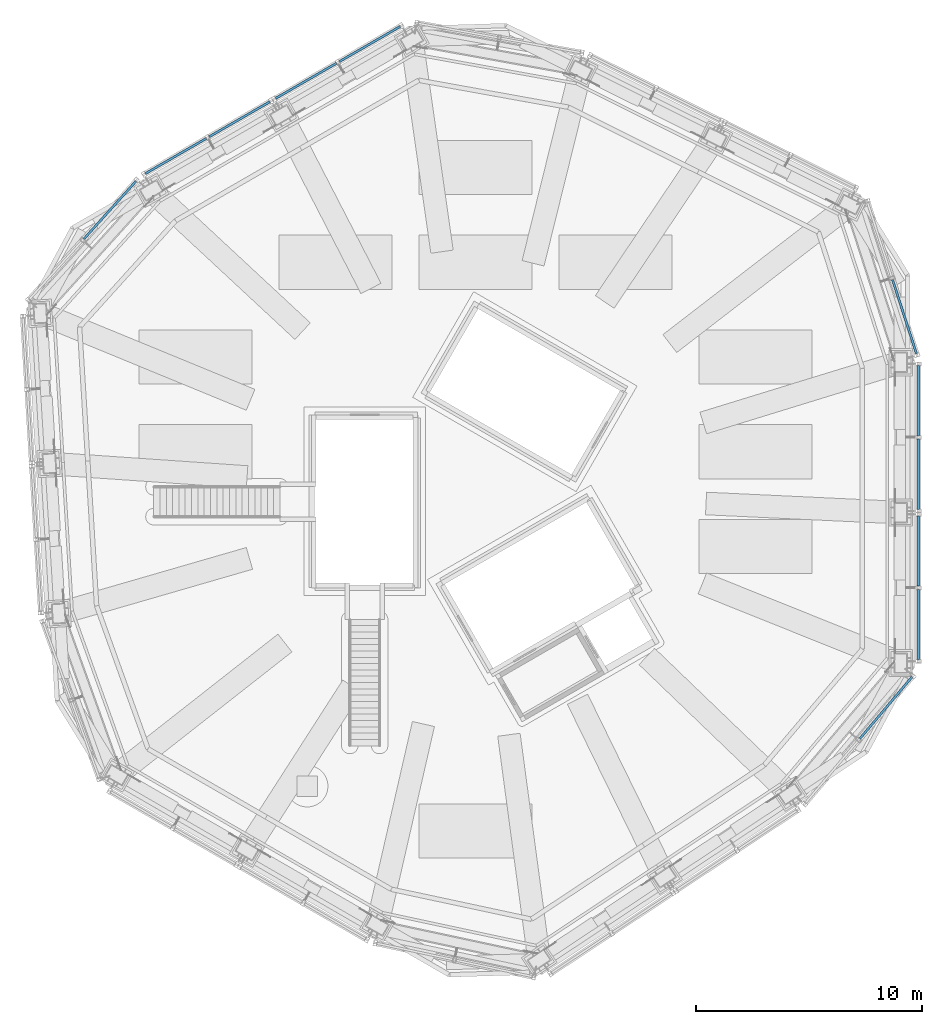
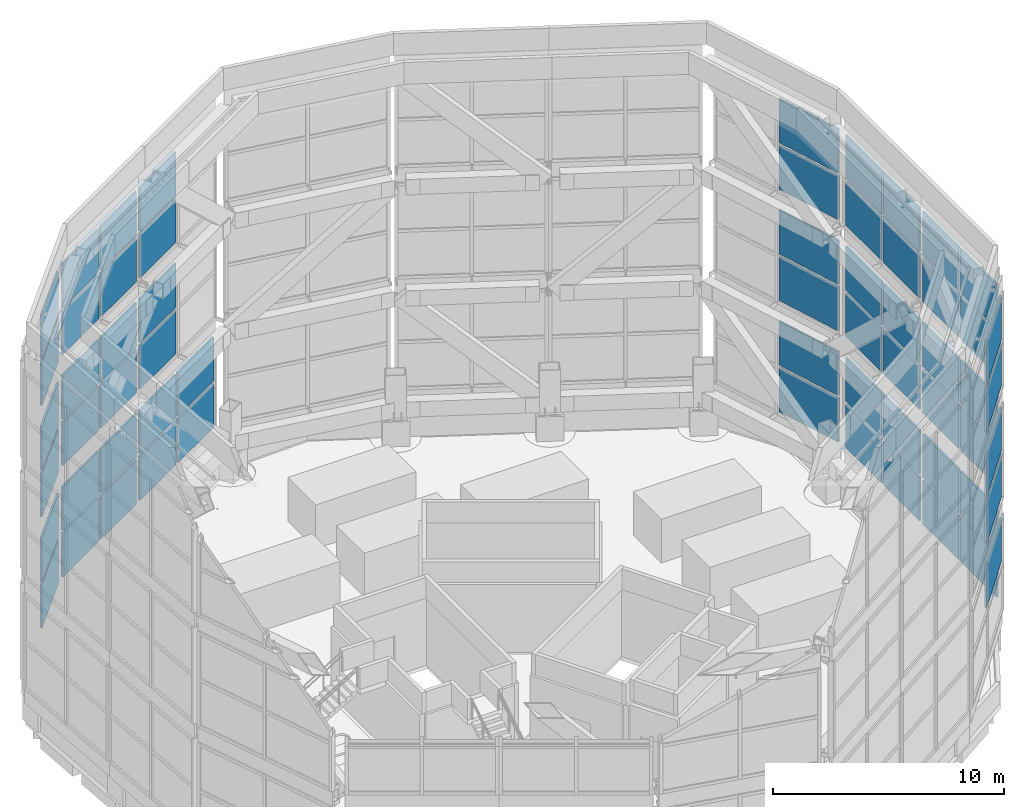
# One storey, part 19 of 46: 61 plates, 21 elements without a shape of their own.
"""IFC4 building model written with IfcOpenShell, lengths in metres."""

from ifc_helpers import new_model, si_unit, direction, frame, origin, origin_2d, place, context, subcontext, project, spatial, rectangle, extrude, material, layer, layer_set, type_object, element, aggregate, save


model = new_model("IFC4")

# Units and contexts
model_context = context("Model", 3, precision=1e-05, world=origin(), true_north=direction((0.0, 1.0)))
body_context = subcontext(model_context, "Body", "Model", "MODEL_VIEW")
ifc_project = project(units=[si_unit("LENGTHUNIT", "METRE"), si_unit("AREAUNIT", "SQUARE_METRE"), si_unit("VOLUMEUNIT", "CUBIC_METRE"), si_unit("PLANEANGLEUNIT", "RADIAN"), si_unit("MASSUNIT", "GRAM", prefix="KILO")], contexts=[model_context])

# Site, building, storey
site_placement = place(None, origin())
site = spatial("IfcSite", under=ifc_project, at=site_placement, CompositionType="ELEMENT")
building_placement = place(site_placement, origin())
building = spatial("IfcBuilding", under=site, at=building_placement, Name="Vanh Sen Convention Tower", CompositionType="ELEMENT")
storey_placement = place(building_placement, frame((0.0, 0.0, 305.0)))
storey = spatial("IfcBuildingStorey", under=building, at=storey_placement, Name="Roof level", CompositionType="ELEMENT", Elevation=305.0)

# Curtain wall, plates
ifc_material = material(Name="Concrete C60/75", Category="concrete")
curtain_wall_type = type_object("IfcCurtainWallType", Name="Crown screen", PredefinedType="NOTDEFINED", material=ifc_material)
curtain_wall_1_placement = place(storey_placement, origin())
curtain_wall_1 = element("IfcCurtainWall", 1, at=curtain_wall_1_placement, inside=storey, type_object=curtain_wall_type, Name="CROWN SCREEN 01 tier 1", PredefinedType="NOTDEFINED")
ifc_layer = layer(ifc_material, 0.10009765625)
ifc_layer_set = layer_set([ifc_layer], Name="Concrete C60/75")
plate_type = type_object("IfcPlateType", Name="Crown screen precast panel 100", PredefinedType="CURTAIN_PANEL", material=ifc_layer_set)
plate_1_placement = place(storey_placement, frame((19.574951171875, -5.84326171875, 2.294921875), z_axis=(0.0, 0.0, 1.0), x_axis=(0.0, 1.0, 0.0)))
plate_1 = element("IfcPlate", 2, at=plate_1_placement, type_object=plate_type, Name="CROWN SCREEN6 panel 1.1", PredefinedType="CURTAIN_PANEL", context=body_context, shape_type="SweptSolid", body=[
    extrude(rectangle(XDim=3.106689453125, YDim=0.10009765625, at=origin_2d()), origin(), (0.0, 0.0, 1.0), 2.30908203125),
])
plate_2_placement = place(storey_placement, frame((19.574951171875, -5.84326171875, 4.754150390625), z_axis=(0.0, 0.0, 1.0), x_axis=(0.0, 1.0, 0.0)))
plate_2 = element("IfcPlate", 3, at=plate_2_placement, type_object=plate_type, Name="CROWN SCREEN6 panel 1.2", PredefinedType="CURTAIN_PANEL", context=body_context, shape_type="SweptSolid", body=[
    extrude(rectangle(XDim=3.106689453125, YDim=0.10009765625, at=origin_2d()), origin(), (0.0, 0.0, 1.0), 2.30908203125),
])
plate_3_placement = place(storey_placement, frame((19.574951171875, -2.586669921875, 2.294921875), z_axis=(0.0, 0.0, 1.0), x_axis=(0.0, 1.0, 0.0)))
plate_3 = element("IfcPlate", 4, at=plate_3_placement, type_object=plate_type, Name="CROWN SCREEN6 panel 2.1", PredefinedType="CURTAIN_PANEL", context=body_context, shape_type="SweptSolid", body=[
    extrude(rectangle(XDim=3.106689453125, YDim=0.10009765625, at=origin_2d()), origin(), (0.0, 0.0, 1.0), 2.30908203125),
])
plate_4_placement = place(storey_placement, frame((19.574951171875, -2.586669921875, 4.754150390625), z_axis=(0.0, 0.0, 1.0), x_axis=(0.0, 1.0, 0.0)))
plate_4 = element("IfcPlate", 5, at=plate_4_placement, type_object=plate_type, Name="CROWN SCREEN6 panel 2.2", PredefinedType="CURTAIN_PANEL", context=body_context, shape_type="SweptSolid", body=[
    extrude(rectangle(XDim=3.106689453125, YDim=0.10009765625, at=origin_2d()), origin(), (0.0, 0.0, 1.0), 2.30908203125),
])
aggregate(curtain_wall_1, [plate_1, plate_2, plate_3, plate_4])

curtain_wall_2_placement = place(storey_placement, origin())
curtain_wall_2 = element("IfcCurtainWall", 6, at=curtain_wall_2_placement, inside=storey, type_object=curtain_wall_type, Name="CROWN SCREEN 01 tier 2", PredefinedType="NOTDEFINED")
plate_5_placement = place(storey_placement, frame((19.574951171875, -5.84326171875, 8.163330078125), z_axis=(0.0, 0.0, 1.0), x_axis=(0.0, 1.0, 0.0)))
plate_5 = element("IfcPlate", 7, at=plate_5_placement, type_object=plate_type, Name="CROWN SCREEN6 panel 1.1", PredefinedType="CURTAIN_PANEL", context=body_context, shape_type="SweptSolid", body=[
    extrude(rectangle(XDim=3.106689453125, YDim=0.10009765625, at=origin_2d()), origin(), (0.0, 0.0, 1.0), 2.30908203125),
])
plate_6_placement = place(storey_placement, frame((19.574951171875, -5.84326171875, 10.62255859375), z_axis=(0.0, 0.0, 1.0), x_axis=(0.0, 1.0, 0.0)))
plate_6 = element("IfcPlate", 8, at=plate_6_placement, type_object=plate_type, Name="CROWN SCREEN6 panel 1.2", PredefinedType="CURTAIN_PANEL", context=body_context, shape_type="SweptSolid", body=[
    extrude(rectangle(XDim=3.106689453125, YDim=0.10009765625, at=origin_2d()), origin(), (0.0, 0.0, 1.0), 2.30908203125),
])
plate_7_placement = place(storey_placement, frame((19.574951171875, -2.586669921875, 8.163330078125), z_axis=(0.0, 0.0, 1.0), x_axis=(0.0, 1.0, 0.0)))
plate_7 = element("IfcPlate", 9, at=plate_7_placement, type_object=plate_type, Name="CROWN SCREEN6 panel 2.1", PredefinedType="CURTAIN_PANEL", context=body_context, shape_type="SweptSolid", body=[
    extrude(rectangle(XDim=3.106689453125, YDim=0.10009765625, at=origin_2d()), origin(), (0.0, 0.0, 1.0), 2.30908203125),
])
plate_8_placement = place(storey_placement, frame((19.574951171875, -2.586669921875, 10.62255859375), z_axis=(0.0, 0.0, 1.0), x_axis=(0.0, 1.0, 0.0)))
plate_8 = element("IfcPlate", 10, at=plate_8_placement, type_object=plate_type, Name="CROWN SCREEN6 panel 2.2", PredefinedType="CURTAIN_PANEL", context=body_context, shape_type="SweptSolid", body=[
    extrude(rectangle(XDim=3.106689453125, YDim=0.10009765625, at=origin_2d()), origin(), (0.0, 0.0, 1.0), 2.30908203125),
])
aggregate(curtain_wall_2, [plate_5, plate_6, plate_7, plate_8])

curtain_wall_3_placement = place(storey_placement, origin())
curtain_wall_3 = element("IfcCurtainWall", 11, at=curtain_wall_3_placement, inside=storey, type_object=curtain_wall_type, Name="CROWN SCREEN 01 tier 3", PredefinedType="NOTDEFINED")
plate_9_placement = place(storey_placement, frame((19.574951171875, -5.84326171875, 14.03173828125), z_axis=(0.0, 0.0, 1.0), x_axis=(0.0, 1.0, 0.0)))
plate_9 = element("IfcPlate", 12, at=plate_9_placement, type_object=plate_type, Name="CROWN SCREEN6 panel 1.1", PredefinedType="CURTAIN_PANEL", context=body_context, shape_type="SweptSolid", body=[
    extrude(rectangle(XDim=3.106689453125, YDim=0.10009765625, at=origin_2d()), origin(), (0.0, 0.0, 1.0), 2.30908203125),
])
plate_10_placement = place(storey_placement, frame((19.574951171875, -5.84326171875, 16.490966796875), z_axis=(0.0, 0.0, 1.0), x_axis=(0.0, 1.0, 0.0)))
plate_10 = element("IfcPlate", 13, at=plate_10_placement, type_object=plate_type, Name="CROWN SCREEN6 panel 1.2", PredefinedType="CURTAIN_PANEL", context=body_context, shape_type="SweptSolid", body=[
    extrude(rectangle(XDim=3.106689453125, YDim=0.10009765625, at=origin_2d()), origin(), (0.0, 0.0, 1.0), 2.30908203125),
])
plate_11_placement = place(storey_placement, frame((19.574951171875, -2.586669921875, 14.03173828125), z_axis=(0.0, 0.0, 1.0), x_axis=(0.0, 1.0, 0.0)))
plate_11 = element("IfcPlate", 14, at=plate_11_placement, type_object=plate_type, Name="CROWN SCREEN6 panel 2.1", PredefinedType="CURTAIN_PANEL", context=body_context, shape_type="SweptSolid", body=[
    extrude(rectangle(XDim=3.106689453125, YDim=0.10009765625, at=origin_2d()), origin(), (0.0, 0.0, 1.0), 2.30908203125),
])
plate_12_placement = place(storey_placement, frame((19.574951171875, -2.586669921875, 16.490966796875), z_axis=(0.0, 0.0, 1.0), x_axis=(0.0, 1.0, 0.0)))
plate_12 = element("IfcPlate", 15, at=plate_12_placement, type_object=plate_type, Name="CROWN SCREEN6 panel 2.2", PredefinedType="CURTAIN_PANEL", context=body_context, shape_type="SweptSolid", body=[
    extrude(rectangle(XDim=3.106689453125, YDim=0.10009765625, at=origin_2d()), origin(), (0.0, 0.0, 1.0), 2.30908203125),
])
aggregate(curtain_wall_3, [plate_9, plate_10, plate_11, plate_12])

curtain_wall_4_placement = place(storey_placement, origin())
curtain_wall_4 = element("IfcCurtainWall", 16, at=curtain_wall_4_placement, inside=storey, type_object=curtain_wall_type, Name="CROWN SCREEN 02 tier 1", PredefinedType="NOTDEFINED")
plate_13_placement = place(storey_placement, frame((19.574951171875, 0.81982421875, 2.294921875), z_axis=(0.0, 0.0, 1.0), x_axis=(0.0, 1.0, 0.0)))
plate_13 = element("IfcPlate", 17, at=plate_13_placement, type_object=plate_type, Name="CROWN SCREEN6 panel 1.1", PredefinedType="CURTAIN_PANEL", context=body_context, shape_type="SweptSolid", body=[
    extrude(rectangle(XDim=3.106689453125, YDim=0.10009765625, at=origin_2d()), origin(), (0.0, 0.0, 1.0), 2.30908203125),
])
plate_14_placement = place(storey_placement, frame((19.574951171875, 0.81982421875, 4.754150390625), z_axis=(0.0, 0.0, 1.0), x_axis=(0.0, 1.0, 0.0)))
plate_14 = element("IfcPlate", 18, at=plate_14_placement, type_object=plate_type, Name="CROWN SCREEN6 panel 1.2", PredefinedType="CURTAIN_PANEL", context=body_context, shape_type="SweptSolid", body=[
    extrude(rectangle(XDim=3.106689453125, YDim=0.10009765625, at=origin_2d()), origin(), (0.0, 0.0, 1.0), 2.30908203125),
])
plate_15_placement = place(storey_placement, frame((19.574951171875, 4.07666015625, 2.294921875), z_axis=(0.0, 0.0, 1.0), x_axis=(0.0, 1.0, 0.0)))
plate_15 = element("IfcPlate", 19, at=plate_15_placement, type_object=plate_type, Name="CROWN SCREEN6 panel 2.1", PredefinedType="CURTAIN_PANEL", context=body_context, shape_type="SweptSolid", body=[
    extrude(rectangle(XDim=3.106689453125, YDim=0.10009765625, at=origin_2d()), origin(), (0.0, 0.0, 1.0), 2.30908203125),
])
plate_16_placement = place(storey_placement, frame((19.574951171875, 4.07666015625, 4.754150390625), z_axis=(0.0, 0.0, 1.0), x_axis=(0.0, 1.0, 0.0)))
plate_16 = element("IfcPlate", 20, at=plate_16_placement, type_object=plate_type, Name="CROWN SCREEN6 panel 2.2", PredefinedType="CURTAIN_PANEL", context=body_context, shape_type="SweptSolid", body=[
    extrude(rectangle(XDim=3.106689453125, YDim=0.10009765625, at=origin_2d()), origin(), (0.0, 0.0, 1.0), 2.30908203125),
])
aggregate(curtain_wall_4, [plate_13, plate_14, plate_15, plate_16])

curtain_wall_5_placement = place(storey_placement, origin())
curtain_wall_5 = element("IfcCurtainWall", 21, at=curtain_wall_5_placement, inside=storey, type_object=curtain_wall_type, Name="CROWN SCREEN 02 tier 2", PredefinedType="NOTDEFINED")
plate_17_placement = place(storey_placement, frame((19.574951171875, 0.81982421875, 8.163330078125), z_axis=(0.0, 0.0, 1.0), x_axis=(0.0, 1.0, 0.0)))
plate_17 = element("IfcPlate", 22, at=plate_17_placement, type_object=plate_type, Name="CROWN SCREEN6 panel 1.1", PredefinedType="CURTAIN_PANEL", context=body_context, shape_type="SweptSolid", body=[
    extrude(rectangle(XDim=3.106689453125, YDim=0.10009765625, at=origin_2d()), origin(), (0.0, 0.0, 1.0), 2.30908203125),
])
plate_18_placement = place(storey_placement, frame((19.574951171875, 0.81982421875, 10.62255859375), z_axis=(0.0, 0.0, 1.0), x_axis=(0.0, 1.0, 0.0)))
plate_18 = element("IfcPlate", 23, at=plate_18_placement, type_object=plate_type, Name="CROWN SCREEN6 panel 1.2", PredefinedType="CURTAIN_PANEL", context=body_context, shape_type="SweptSolid", body=[
    extrude(rectangle(XDim=3.106689453125, YDim=0.10009765625, at=origin_2d()), origin(), (0.0, 0.0, 1.0), 2.30908203125),
])
plate_19_placement = place(storey_placement, frame((19.574951171875, 4.07666015625, 8.163330078125), z_axis=(0.0, 0.0, 1.0), x_axis=(0.0, 1.0, 0.0)))
plate_19 = element("IfcPlate", 24, at=plate_19_placement, type_object=plate_type, Name="CROWN SCREEN6 panel 2.1", PredefinedType="CURTAIN_PANEL", context=body_context, shape_type="SweptSolid", body=[
    extrude(rectangle(XDim=3.106689453125, YDim=0.10009765625, at=origin_2d()), origin(), (0.0, 0.0, 1.0), 2.30908203125),
])
plate_20_placement = place(storey_placement, frame((19.574951171875, 4.07666015625, 10.62255859375), z_axis=(0.0, 0.0, 1.0), x_axis=(0.0, 1.0, 0.0)))
plate_20 = element("IfcPlate", 25, at=plate_20_placement, type_object=plate_type, Name="CROWN SCREEN6 panel 2.2", PredefinedType="CURTAIN_PANEL", context=body_context, shape_type="SweptSolid", body=[
    extrude(rectangle(XDim=3.106689453125, YDim=0.10009765625, at=origin_2d()), origin(), (0.0, 0.0, 1.0), 2.30908203125),
])
aggregate(curtain_wall_5, [plate_17, plate_18, plate_19, plate_20])

curtain_wall_6_placement = place(storey_placement, origin())
curtain_wall_6 = element("IfcCurtainWall", 26, at=curtain_wall_6_placement, inside=storey, type_object=curtain_wall_type, Name="CROWN SCREEN 02 tier 3", PredefinedType="NOTDEFINED")
plate_21_placement = place(storey_placement, frame((19.574951171875, 0.81982421875, 14.03173828125), z_axis=(0.0, 0.0, 1.0), x_axis=(0.0, 1.0, 0.0)))
plate_21 = element("IfcPlate", 27, at=plate_21_placement, type_object=plate_type, Name="CROWN SCREEN6 panel 1.1", PredefinedType="CURTAIN_PANEL", context=body_context, shape_type="SweptSolid", body=[
    extrude(rectangle(XDim=3.106689453125, YDim=0.10009765625, at=origin_2d()), origin(), (0.0, 0.0, 1.0), 2.30908203125),
])
plate_22_placement = place(storey_placement, frame((19.574951171875, 0.81982421875, 16.490966796875), z_axis=(0.0, 0.0, 1.0), x_axis=(0.0, 1.0, 0.0)))
plate_22 = element("IfcPlate", 28, at=plate_22_placement, type_object=plate_type, Name="CROWN SCREEN6 panel 1.2", PredefinedType="CURTAIN_PANEL", context=body_context, shape_type="SweptSolid", body=[
    extrude(rectangle(XDim=3.106689453125, YDim=0.10009765625, at=origin_2d()), origin(), (0.0, 0.0, 1.0), 2.30908203125),
])
plate_23_placement = place(storey_placement, frame((19.574951171875, 4.07666015625, 14.03173828125), z_axis=(0.0, 0.0, 1.0), x_axis=(0.0, 1.0, 0.0)))
plate_23 = element("IfcPlate", 29, at=plate_23_placement, type_object=plate_type, Name="CROWN SCREEN6 panel 2.1", PredefinedType="CURTAIN_PANEL", context=body_context, shape_type="SweptSolid", body=[
    extrude(rectangle(XDim=3.106689453125, YDim=0.10009765625, at=origin_2d()), origin(), (0.0, 0.0, 1.0), 2.30908203125),
])
plate_24_placement = place(storey_placement, frame((19.574951171875, 4.07666015625, 16.490966796875), z_axis=(0.0, 0.0, 1.0), x_axis=(0.0, 1.0, 0.0)))
plate_24 = element("IfcPlate", 30, at=plate_24_placement, type_object=plate_type, Name="CROWN SCREEN6 panel 2.2", PredefinedType="CURTAIN_PANEL", context=body_context, shape_type="SweptSolid", body=[
    extrude(rectangle(XDim=3.106689453125, YDim=0.10009765625, at=origin_2d()), origin(), (0.0, 0.0, 1.0), 2.30908203125),
])
aggregate(curtain_wall_6, [plate_21, plate_22, plate_23, plate_24])

curtain_wall_7_placement = place(storey_placement, origin())
curtain_wall_7 = element("IfcCurtainWall", 31, at=curtain_wall_7_placement, inside=storey, type_object=curtain_wall_type, Name="CROWN SCREEN 03 tier 1", PredefinedType="NOTDEFINED")
plate_25_placement = place(storey_placement, frame((18.96142578125, 7.798828125, 2.294921875), z_axis=(0.0, 0.0, 1.0), x_axis=(-0.307732807972, 0.951472815638, 0.0)))
plate_25 = element("IfcPlate", 32, at=plate_25_placement, type_object=plate_type, Name="CROWN SCREEN6 panel 1.1", PredefinedType="CURTAIN_PANEL", context=body_context, shape_type="SweptSolid", body=[
    extrude(rectangle(XDim=3.442626953125, YDim=0.10009765625, at=origin_2d()), origin(), (0.0, 0.0, 1.0), 2.30908203125),
])
plate_26_placement = place(storey_placement, frame((18.96142578125, 7.798828125, 4.754150390625), z_axis=(0.0, 0.0, 1.0), x_axis=(-0.307732807972, 0.951472815638, 0.0)))
plate_26 = element("IfcPlate", 33, at=plate_26_placement, type_object=plate_type, Name="CROWN SCREEN6 panel 1.2", PredefinedType="CURTAIN_PANEL", context=body_context, shape_type="SweptSolid", body=[
    extrude(rectangle(XDim=3.442626953125, YDim=0.10009765625, at=origin_2d()), origin(), (0.0, 0.0, 1.0), 2.30908203125),
])
aggregate(curtain_wall_7, [plate_25, plate_26])

curtain_wall_8_placement = place(storey_placement, origin())
curtain_wall_8 = element("IfcCurtainWall", 34, at=curtain_wall_8_placement, inside=storey, type_object=curtain_wall_type, Name="CROWN SCREEN 03 tier 2", PredefinedType="NOTDEFINED")
plate_27_placement = place(storey_placement, frame((18.96142578125, 7.798828125, 8.163330078125), z_axis=(0.0, 0.0, 1.0), x_axis=(-0.307732807972, 0.951472815638, 0.0)))
plate_27 = element("IfcPlate", 35, at=plate_27_placement, type_object=plate_type, Name="CROWN SCREEN6 panel 1.1", PredefinedType="CURTAIN_PANEL", context=body_context, shape_type="SweptSolid", body=[
    extrude(rectangle(XDim=3.442626953125, YDim=0.10009765625, at=origin_2d()), origin(), (0.0, 0.0, 1.0), 2.30908203125),
])
plate_28_placement = place(storey_placement, frame((18.96142578125, 7.798828125, 10.62255859375), z_axis=(0.0, 0.0, 1.0), x_axis=(-0.307732807972, 0.951472815638, 0.0)))
plate_28 = element("IfcPlate", 36, at=plate_28_placement, type_object=plate_type, Name="CROWN SCREEN6 panel 1.2", PredefinedType="CURTAIN_PANEL", context=body_context, shape_type="SweptSolid", body=[
    extrude(rectangle(XDim=3.442626953125, YDim=0.10009765625, at=origin_2d()), origin(), (0.0, 0.0, 1.0), 2.30908203125),
])
aggregate(curtain_wall_8, [plate_27, plate_28])

curtain_wall_9_placement = place(storey_placement, origin())
curtain_wall_9 = element("IfcCurtainWall", 37, at=curtain_wall_9_placement, inside=storey, type_object=curtain_wall_type, Name="CROWN SCREEN 03 tier 3", PredefinedType="NOTDEFINED")
plate_29_placement = place(storey_placement, frame((18.96142578125, 7.798828125, 14.03173828125), z_axis=(0.0, 0.0, 1.0), x_axis=(-0.307732807972, 0.951472815638, 0.0)))
plate_29 = element("IfcPlate", 38, at=plate_29_placement, type_object=plate_type, Name="CROWN SCREEN6 panel 1.1", PredefinedType="CURTAIN_PANEL", context=body_context, shape_type="SweptSolid", body=[
    extrude(rectangle(XDim=3.442626953125, YDim=0.10009765625, at=origin_2d()), origin(), (0.0, 0.0, 1.0), 2.30908203125),
])
plate_30_placement = place(storey_placement, frame((18.96142578125, 7.798828125, 16.490966796875), z_axis=(0.0, 0.0, 1.0), x_axis=(-0.307732807972, 0.951472815638, 0.0)))
plate_30 = element("IfcPlate", 39, at=plate_30_placement, type_object=plate_type, Name="CROWN SCREEN6 panel 1.2", PredefinedType="CURTAIN_PANEL", context=body_context, shape_type="SweptSolid", body=[
    extrude(rectangle(XDim=3.442626953125, YDim=0.10009765625, at=origin_2d()), origin(), (0.0, 0.0, 1.0), 2.30908203125),
])
aggregate(curtain_wall_9, [plate_29, plate_30])

curtain_wall_10_placement = place(storey_placement, origin())
curtain_wall_10 = element("IfcCurtainWall", 40, at=curtain_wall_10_placement, inside=storey, type_object=curtain_wall_type, Name="CROWN SCREEN 07 tier 1", PredefinedType="NOTDEFINED")
plate_31_placement = place(storey_placement, frame((-4.726806640625, 19.874267578125, 2.294921875), z_axis=(0.0, 0.0, 1.0), x_axis=(-0.866022639554, -0.500004787758, 0.0)))
plate_31 = element("IfcPlate", 41, at=plate_31_placement, type_object=plate_type, Name="CROWN SCREEN6 panel 1.1", PredefinedType="CURTAIN_PANEL", context=body_context, shape_type="SweptSolid", body=[
    extrude(rectangle(XDim=3.106689453125, YDim=0.10009765625, at=origin_2d()), origin(), (0.0, 0.0, 1.0), 2.30908203125),
])
plate_32_placement = place(storey_placement, frame((-4.726806640625, 19.874267578125, 4.754150390625), z_axis=(0.0, 0.0, 1.0), x_axis=(-0.866022639554, -0.500004787758, 0.0)))
plate_32 = element("IfcPlate", 42, at=plate_32_placement, type_object=plate_type, Name="CROWN SCREEN6 panel 1.2", PredefinedType="CURTAIN_PANEL", context=body_context, shape_type="SweptSolid", body=[
    extrude(rectangle(XDim=3.106689453125, YDim=0.10009765625, at=origin_2d()), origin(), (0.0, 0.0, 1.0), 2.30908203125),
])
plate_33_placement = place(storey_placement, frame((-7.54736328125, 18.245849609375, 2.294921875), z_axis=(0.0, 0.0, 1.0), x_axis=(-0.866022639554, -0.500004787758, 0.0)))
plate_33 = element("IfcPlate", 43, at=plate_33_placement, type_object=plate_type, Name="CROWN SCREEN6 panel 2.1", PredefinedType="CURTAIN_PANEL", context=body_context, shape_type="SweptSolid", body=[
    extrude(rectangle(XDim=3.106689453125, YDim=0.10009765625, at=origin_2d()), origin(), (0.0, 0.0, 1.0), 2.30908203125),
])
plate_34_placement = place(storey_placement, frame((-7.54736328125, 18.245849609375, 4.754150390625), z_axis=(0.0, 0.0, 1.0), x_axis=(-0.866022639554, -0.500004787758, 0.0)))
plate_34 = element("IfcPlate", 44, at=plate_34_placement, type_object=plate_type, Name="CROWN SCREEN6 panel 2.2", PredefinedType="CURTAIN_PANEL", context=body_context, shape_type="SweptSolid", body=[
    extrude(rectangle(XDim=3.106689453125, YDim=0.10009765625, at=origin_2d()), origin(), (0.0, 0.0, 1.0), 2.30908203125),
])
aggregate(curtain_wall_10, [plate_31, plate_32, plate_33, plate_34])

curtain_wall_11_placement = place(storey_placement, origin())
curtain_wall_11 = element("IfcCurtainWall", 45, at=curtain_wall_11_placement, inside=storey, type_object=curtain_wall_type, Name="CROWN SCREEN 07 tier 2", PredefinedType="NOTDEFINED")
plate_35_placement = place(storey_placement, frame((-7.54736328125, 18.245849609375, 8.163330078125), z_axis=(0.0, 0.0, 1.0), x_axis=(-0.866022639554, -0.500004787758, 0.0)))
plate_35 = element("IfcPlate", 46, at=plate_35_placement, type_object=plate_type, Name="CROWN SCREEN6 panel 2.1", PredefinedType="CURTAIN_PANEL", context=body_context, shape_type="SweptSolid", body=[
    extrude(rectangle(XDim=3.106689453125, YDim=0.10009765625, at=origin_2d()), origin(), (0.0, 0.0, 1.0), 2.30908203125),
])
plate_36_placement = place(storey_placement, frame((-7.54736328125, 18.245849609375, 10.62255859375), z_axis=(0.0, 0.0, 1.0), x_axis=(-0.866022639554, -0.500004787758, 0.0)))
plate_36 = element("IfcPlate", 47, at=plate_36_placement, type_object=plate_type, Name="CROWN SCREEN6 panel 2.2", PredefinedType="CURTAIN_PANEL", context=body_context, shape_type="SweptSolid", body=[
    extrude(rectangle(XDim=3.106689453125, YDim=0.10009765625, at=origin_2d()), origin(), (0.0, 0.0, 1.0), 2.30908203125),
])
aggregate(curtain_wall_11, [plate_35, plate_36])

curtain_wall_12_placement = place(storey_placement, origin())
curtain_wall_12 = element("IfcCurtainWall", 48, at=curtain_wall_12_placement, inside=storey, type_object=curtain_wall_type, Name="CROWN SCREEN 07 tier 3", PredefinedType="NOTDEFINED")
plate_37_placement = place(storey_placement, frame((-7.54736328125, 18.245849609375, 14.03173828125), z_axis=(0.0, 0.0, 1.0), x_axis=(-0.866022639554, -0.500004787758, 0.0)))
plate_37 = element("IfcPlate", 49, at=plate_37_placement, type_object=plate_type, Name="CROWN SCREEN6 panel 2.1", PredefinedType="CURTAIN_PANEL", context=body_context, shape_type="SweptSolid", body=[
    extrude(rectangle(XDim=3.106689453125, YDim=0.10009765625, at=origin_2d()), origin(), (0.0, 0.0, 1.0), 2.30908203125),
])
plate_38_placement = place(storey_placement, frame((-7.54736328125, 18.245849609375, 16.490966796875), z_axis=(0.0, 0.0, 1.0), x_axis=(-0.866022639554, -0.500004787758, 0.0)))
plate_38 = element("IfcPlate", 50, at=plate_38_placement, type_object=plate_type, Name="CROWN SCREEN6 panel 2.2", PredefinedType="CURTAIN_PANEL", context=body_context, shape_type="SweptSolid", body=[
    extrude(rectangle(XDim=3.106689453125, YDim=0.10009765625, at=origin_2d()), origin(), (0.0, 0.0, 1.0), 2.30908203125),
])
aggregate(curtain_wall_12, [plate_37, plate_38])

curtain_wall_13_placement = place(storey_placement, origin())
curtain_wall_13 = element("IfcCurtainWall", 51, at=curtain_wall_13_placement, inside=storey, type_object=curtain_wall_type, Name="CROWN SCREEN 08 tier 1", PredefinedType="NOTDEFINED")
plate_39_placement = place(storey_placement, frame((-10.49755859375, 16.54248046875, 2.294921875), z_axis=(0.0, 0.0, 1.0), x_axis=(-0.866022639554, -0.500004787758, 0.0)))
plate_39 = element("IfcPlate", 52, at=plate_39_placement, type_object=plate_type, Name="CROWN SCREEN6 panel 1.1", PredefinedType="CURTAIN_PANEL", context=body_context, shape_type="SweptSolid", body=[
    extrude(rectangle(XDim=3.106689453125, YDim=0.10009765625, at=origin_2d()), origin(), (0.0, 0.0, 1.0), 2.30908203125),
])
plate_40_placement = place(storey_placement, frame((-10.49755859375, 16.54248046875, 4.754150390625), z_axis=(0.0, 0.0, 1.0), x_axis=(-0.866022639554, -0.500004787758, 0.0)))
plate_40 = element("IfcPlate", 53, at=plate_40_placement, type_object=plate_type, Name="CROWN SCREEN6 panel 1.2", PredefinedType="CURTAIN_PANEL", context=body_context, shape_type="SweptSolid", body=[
    extrude(rectangle(XDim=3.106689453125, YDim=0.10009765625, at=origin_2d()), origin(), (0.0, 0.0, 1.0), 2.30908203125),
])
plate_41_placement = place(storey_placement, frame((-13.31787109375, 14.9140625, 2.294921875), z_axis=(0.0, 0.0, 1.0), x_axis=(-0.866022639554, -0.500004787758, 0.0)))
plate_41 = element("IfcPlate", 54, at=plate_41_placement, type_object=plate_type, Name="CROWN SCREEN6 panel 2.1", PredefinedType="CURTAIN_PANEL", context=body_context, shape_type="SweptSolid", body=[
    extrude(rectangle(XDim=3.106689453125, YDim=0.10009765625, at=origin_2d()), origin(), (0.0, 0.0, 1.0), 2.30908203125),
])
plate_42_placement = place(storey_placement, frame((-13.31787109375, 14.9140625, 4.754150390625), z_axis=(0.0, 0.0, 1.0), x_axis=(-0.866022639554, -0.500004787758, 0.0)))
plate_42 = element("IfcPlate", 55, at=plate_42_placement, type_object=plate_type, Name="CROWN SCREEN6 panel 2.2", PredefinedType="CURTAIN_PANEL", context=body_context, shape_type="SweptSolid", body=[
    extrude(rectangle(XDim=3.106689453125, YDim=0.10009765625, at=origin_2d()), origin(), (0.0, 0.0, 1.0), 2.30908203125),
])
aggregate(curtain_wall_13, [plate_39, plate_40, plate_41, plate_42])

curtain_wall_14_placement = place(storey_placement, origin())
curtain_wall_14 = element("IfcCurtainWall", 56, at=curtain_wall_14_placement, inside=storey, type_object=curtain_wall_type, Name="CROWN SCREEN 08 tier 2", PredefinedType="NOTDEFINED")
plate_43_placement = place(storey_placement, frame((-10.49755859375, 16.54248046875, 8.163330078125), z_axis=(0.0, 0.0, 1.0), x_axis=(-0.866022639554, -0.500004787758, 0.0)))
plate_43 = element("IfcPlate", 57, at=plate_43_placement, type_object=plate_type, Name="CROWN SCREEN6 panel 1.1", PredefinedType="CURTAIN_PANEL", context=body_context, shape_type="SweptSolid", body=[
    extrude(rectangle(XDim=3.106689453125, YDim=0.10009765625, at=origin_2d()), origin(), (0.0, 0.0, 1.0), 2.30908203125),
])
plate_44_placement = place(storey_placement, frame((-10.49755859375, 16.54248046875, 10.62255859375), z_axis=(0.0, 0.0, 1.0), x_axis=(-0.866022639554, -0.500004787758, 0.0)))
plate_44 = element("IfcPlate", 58, at=plate_44_placement, type_object=plate_type, Name="CROWN SCREEN6 panel 1.2", PredefinedType="CURTAIN_PANEL", context=body_context, shape_type="SweptSolid", body=[
    extrude(rectangle(XDim=3.106689453125, YDim=0.10009765625, at=origin_2d()), origin(), (0.0, 0.0, 1.0), 2.30908203125),
])
plate_45_placement = place(storey_placement, frame((-13.31787109375, 14.9140625, 8.163330078125), z_axis=(0.0, 0.0, 1.0), x_axis=(-0.866022639554, -0.500004787758, 0.0)))
plate_45 = element("IfcPlate", 59, at=plate_45_placement, type_object=plate_type, Name="CROWN SCREEN6 panel 2.1", PredefinedType="CURTAIN_PANEL", context=body_context, shape_type="SweptSolid", body=[
    extrude(rectangle(XDim=3.106689453125, YDim=0.10009765625, at=origin_2d()), origin(), (0.0, 0.0, 1.0), 2.30908203125),
])
plate_46_placement = place(storey_placement, frame((-13.31787109375, 14.9140625, 10.62255859375), z_axis=(0.0, 0.0, 1.0), x_axis=(-0.866022639554, -0.500004787758, 0.0)))
plate_46 = element("IfcPlate", 60, at=plate_46_placement, type_object=plate_type, Name="CROWN SCREEN6 panel 2.2", PredefinedType="CURTAIN_PANEL", context=body_context, shape_type="SweptSolid", body=[
    extrude(rectangle(XDim=3.106689453125, YDim=0.10009765625, at=origin_2d()), origin(), (0.0, 0.0, 1.0), 2.30908203125),
])
aggregate(curtain_wall_14, [plate_43, plate_44, plate_45, plate_46])

curtain_wall_15_placement = place(storey_placement, origin())
curtain_wall_15 = element("IfcCurtainWall", 61, at=curtain_wall_15_placement, inside=storey, type_object=curtain_wall_type, Name="CROWN SCREEN 08 tier 3", PredefinedType="NOTDEFINED")
plate_47_placement = place(storey_placement, frame((-10.49755859375, 16.54248046875, 14.03173828125), z_axis=(0.0, 0.0, 1.0), x_axis=(-0.866022639554, -0.500004787758, 0.0)))
plate_47 = element("IfcPlate", 62, at=plate_47_placement, type_object=plate_type, Name="CROWN SCREEN6 panel 1.1", PredefinedType="CURTAIN_PANEL", context=body_context, shape_type="SweptSolid", body=[
    extrude(rectangle(XDim=3.106689453125, YDim=0.10009765625, at=origin_2d()), origin(), (0.0, 0.0, 1.0), 2.30908203125),
])
plate_48_placement = place(storey_placement, frame((-10.49755859375, 16.54248046875, 16.490966796875), z_axis=(0.0, 0.0, 1.0), x_axis=(-0.866022639554, -0.500004787758, 0.0)))
plate_48 = element("IfcPlate", 63, at=plate_48_placement, type_object=plate_type, Name="CROWN SCREEN6 panel 1.2", PredefinedType="CURTAIN_PANEL", context=body_context, shape_type="SweptSolid", body=[
    extrude(rectangle(XDim=3.106689453125, YDim=0.10009765625, at=origin_2d()), origin(), (0.0, 0.0, 1.0), 2.30908203125),
])
plate_49_placement = place(storey_placement, frame((-13.31787109375, 14.9140625, 14.03173828125), z_axis=(0.0, 0.0, 1.0), x_axis=(-0.866022639554, -0.500004787758, 0.0)))
plate_49 = element("IfcPlate", 64, at=plate_49_placement, type_object=plate_type, Name="CROWN SCREEN6 panel 2.1", PredefinedType="CURTAIN_PANEL", context=body_context, shape_type="SweptSolid", body=[
    extrude(rectangle(XDim=3.106689453125, YDim=0.10009765625, at=origin_2d()), origin(), (0.0, 0.0, 1.0), 2.30908203125),
])
plate_50_placement = place(storey_placement, frame((-13.31787109375, 14.9140625, 16.490966796875), z_axis=(0.0, 0.0, 1.0), x_axis=(-0.866022639554, -0.500004787758, 0.0)))
plate_50 = element("IfcPlate", 65, at=plate_50_placement, type_object=plate_type, Name="CROWN SCREEN6 panel 2.2", PredefinedType="CURTAIN_PANEL", context=body_context, shape_type="SweptSolid", body=[
    extrude(rectangle(XDim=3.106689453125, YDim=0.10009765625, at=origin_2d()), origin(), (0.0, 0.0, 1.0), 2.30908203125),
])
aggregate(curtain_wall_15, [plate_47, plate_48, plate_49, plate_50])

curtain_wall_16_placement = place(storey_placement, origin())
curtain_wall_16 = element("IfcCurtainWall", 66, at=curtain_wall_16_placement, inside=storey, type_object=curtain_wall_type, Name="CROWN SCREEN 09 tier 1", PredefinedType="NOTDEFINED")
plate_51_placement = place(storey_placement, frame((-16.23486328125, 12.521728515625, 2.294921875), z_axis=(0.0, 0.0, 1.0), x_axis=(-0.67014262942, -0.742232346529, 0.0)))
plate_51 = element("IfcPlate", 67, at=plate_51_placement, type_object=plate_type, Name="CROWN SCREEN6 panel 1.1", PredefinedType="CURTAIN_PANEL", context=body_context, shape_type="SweptSolid", body=[
    extrude(rectangle(XDim=3.442626953125, YDim=0.10009765625, at=origin_2d()), origin(), (0.0, 0.0, 1.0), 2.30908203125),
])
plate_52_placement = place(storey_placement, frame((-16.23486328125, 12.521728515625, 4.754150390625), z_axis=(0.0, 0.0, 1.0), x_axis=(-0.67014262942, -0.742232346529, 0.0)))
plate_52 = element("IfcPlate", 68, at=plate_52_placement, type_object=plate_type, Name="CROWN SCREEN6 panel 1.2", PredefinedType="CURTAIN_PANEL", context=body_context, shape_type="SweptSolid", body=[
    extrude(rectangle(XDim=3.442626953125, YDim=0.10009765625, at=origin_2d()), origin(), (0.0, 0.0, 1.0), 2.30908203125),
])
aggregate(curtain_wall_16, [plate_51, plate_52])

curtain_wall_17_placement = place(storey_placement, origin())
curtain_wall_17 = element("IfcCurtainWall", 69, at=curtain_wall_17_placement, inside=storey, type_object=curtain_wall_type, Name="CROWN SCREEN 09 tier 2", PredefinedType="NOTDEFINED")
plate_53_placement = place(storey_placement, frame((-16.23486328125, 12.521728515625, 8.163330078125), z_axis=(0.0, 0.0, 1.0), x_axis=(-0.67014262942, -0.742232346529, 0.0)))
plate_53 = element("IfcPlate", 70, at=plate_53_placement, type_object=plate_type, Name="CROWN SCREEN6 panel 1.1", PredefinedType="CURTAIN_PANEL", context=body_context, shape_type="SweptSolid", body=[
    extrude(rectangle(XDim=3.442626953125, YDim=0.10009765625, at=origin_2d()), origin(), (0.0, 0.0, 1.0), 2.30908203125),
])
plate_54_placement = place(storey_placement, frame((-16.23486328125, 12.521728515625, 10.62255859375), z_axis=(0.0, 0.0, 1.0), x_axis=(-0.67014262942, -0.742232346529, 0.0)))
plate_54 = element("IfcPlate", 71, at=plate_54_placement, type_object=plate_type, Name="CROWN SCREEN6 panel 1.2", PredefinedType="CURTAIN_PANEL", context=body_context, shape_type="SweptSolid", body=[
    extrude(rectangle(XDim=3.442626953125, YDim=0.10009765625, at=origin_2d()), origin(), (0.0, 0.0, 1.0), 2.30908203125),
])
aggregate(curtain_wall_17, [plate_53, plate_54])

curtain_wall_18_placement = place(storey_placement, origin())
curtain_wall_18 = element("IfcCurtainWall", 72, at=curtain_wall_18_placement, inside=storey, type_object=curtain_wall_type, Name="CROWN SCREEN 09 tier 3", PredefinedType="NOTDEFINED")
plate_55_placement = place(storey_placement, frame((-16.23486328125, 12.521728515625, 14.03173828125), z_axis=(0.0, 0.0, 1.0), x_axis=(-0.67014262942, -0.742232346529, 0.0)))
plate_55 = element("IfcPlate", 73, at=plate_55_placement, type_object=plate_type, Name="CROWN SCREEN6 panel 1.1", PredefinedType="CURTAIN_PANEL", context=body_context, shape_type="SweptSolid", body=[
    extrude(rectangle(XDim=3.442626953125, YDim=0.10009765625, at=origin_2d()), origin(), (0.0, 0.0, 1.0), 2.30908203125),
])
plate_56_placement = place(storey_placement, frame((-16.23486328125, 12.521728515625, 16.490966796875), z_axis=(0.0, 0.0, 1.0), x_axis=(-0.67014262942, -0.742232346529, 0.0)))
plate_56 = element("IfcPlate", 74, at=plate_56_placement, type_object=plate_type, Name="CROWN SCREEN6 panel 1.2", PredefinedType="CURTAIN_PANEL", context=body_context, shape_type="SweptSolid", body=[
    extrude(rectangle(XDim=3.442626953125, YDim=0.10009765625, at=origin_2d()), origin(), (0.0, 0.0, 1.0), 2.30908203125),
])
aggregate(curtain_wall_18, [plate_55, plate_56])

# Curtain wall, plate
curtain_wall_19_placement = place(storey_placement, origin())
curtain_wall_19 = element("IfcCurtainWall", 75, at=curtain_wall_19_placement, inside=storey, type_object=curtain_wall_type, Name="CROWN SCREEN 18 tier 1", PredefinedType="NOTDEFINED")
plate_57_placement = place(storey_placement, frame((18.140380859375, -9.52685546875, 4.754150390625), z_axis=(0.0, 0.0, 1.0), x_axis=(0.645766484343, 0.763534968223, 0.0)))
plate_57 = element("IfcPlate", 76, at=plate_57_placement, type_object=plate_type, Name="CROWN SCREEN6 panel 2.2", PredefinedType="CURTAIN_PANEL", context=body_context, shape_type="SweptSolid", body=[
    extrude(rectangle(XDim=3.57568359375, YDim=0.10009765625, at=origin_2d()), origin(), (0.0, 0.0, 1.0), 2.30908203125),
])
aggregate(curtain_wall_19, [plate_57])

# Curtain wall, plates
curtain_wall_20_placement = place(storey_placement, origin())
curtain_wall_20 = element("IfcCurtainWall", 77, at=curtain_wall_20_placement, inside=storey, type_object=curtain_wall_type, Name="CROWN SCREEN 18 tier 2", PredefinedType="NOTDEFINED")
plate_58_placement = place(storey_placement, frame((18.140380859375, -9.52685546875, 8.163330078125), z_axis=(0.0, 0.0, 1.0), x_axis=(0.645766484343, 0.763534968223, 0.0)))
plate_58 = element("IfcPlate", 78, at=plate_58_placement, type_object=plate_type, Name="CROWN SCREEN6 panel 2.1", PredefinedType="CURTAIN_PANEL", context=body_context, shape_type="SweptSolid", body=[
    extrude(rectangle(XDim=3.57568359375, YDim=0.10009765625, at=origin_2d()), origin(), (0.0, 0.0, 1.0), 2.30908203125),
])
plate_59_placement = place(storey_placement, frame((18.140380859375, -9.52685546875, 10.62255859375), z_axis=(0.0, 0.0, 1.0), x_axis=(0.645766484343, 0.763534968223, 0.0)))
plate_59 = element("IfcPlate", 79, at=plate_59_placement, type_object=plate_type, Name="CROWN SCREEN6 panel 2.2", PredefinedType="CURTAIN_PANEL", context=body_context, shape_type="SweptSolid", body=[
    extrude(rectangle(XDim=3.57568359375, YDim=0.10009765625, at=origin_2d()), origin(), (0.0, 0.0, 1.0), 2.30908203125),
])
aggregate(curtain_wall_20, [plate_58, plate_59])

curtain_wall_21_placement = place(storey_placement, origin())
curtain_wall_21 = element("IfcCurtainWall", 80, at=curtain_wall_21_placement, inside=storey, type_object=curtain_wall_type, Name="CROWN SCREEN 18 tier 3", PredefinedType="NOTDEFINED")
plate_60_placement = place(storey_placement, frame((18.140380859375, -9.52685546875, 14.03173828125), z_axis=(0.0, 0.0, 1.0), x_axis=(0.645766484343, 0.763534968223, 0.0)))
plate_60 = element("IfcPlate", 81, at=plate_60_placement, type_object=plate_type, Name="CROWN SCREEN6 panel 2.1", PredefinedType="CURTAIN_PANEL", context=body_context, shape_type="SweptSolid", body=[
    extrude(rectangle(XDim=3.57568359375, YDim=0.10009765625, at=origin_2d()), origin(), (0.0, 0.0, 1.0), 2.30908203125),
])
plate_61_placement = place(storey_placement, frame((18.140380859375, -9.52685546875, 16.490966796875), z_axis=(0.0, 0.0, 1.0), x_axis=(0.645766484343, 0.763534968223, 0.0)))
plate_61 = element("IfcPlate", 82, at=plate_61_placement, type_object=plate_type, Name="CROWN SCREEN6 panel 2.2", PredefinedType="CURTAIN_PANEL", context=body_context, shape_type="SweptSolid", body=[
    extrude(rectangle(XDim=3.57568359375, YDim=0.10009765625, at=origin_2d()), origin(), (0.0, 0.0, 1.0), 2.30908203125),
])
aggregate(curtain_wall_21, [plate_60, plate_61])

save(model, "model.ifc")
